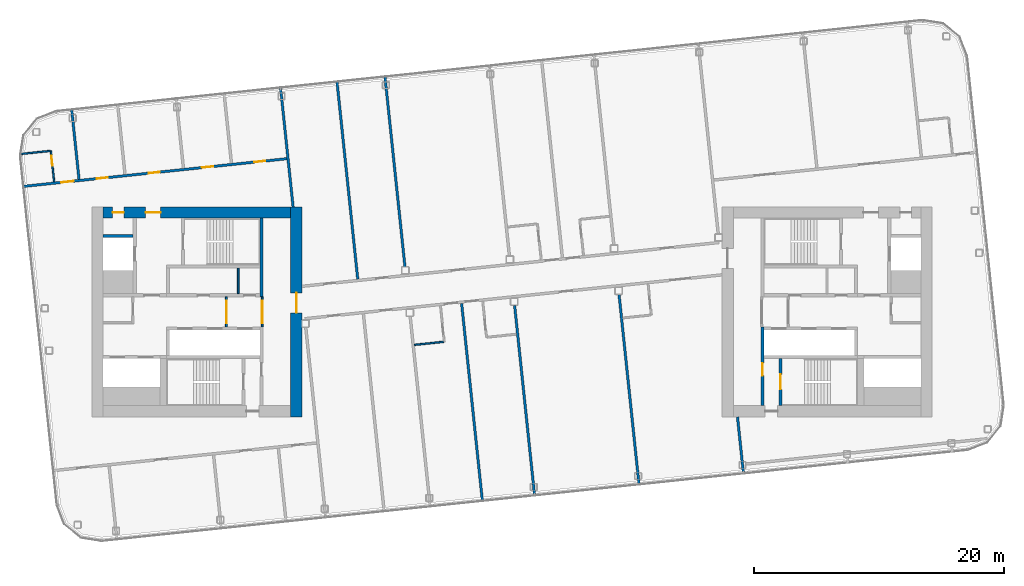
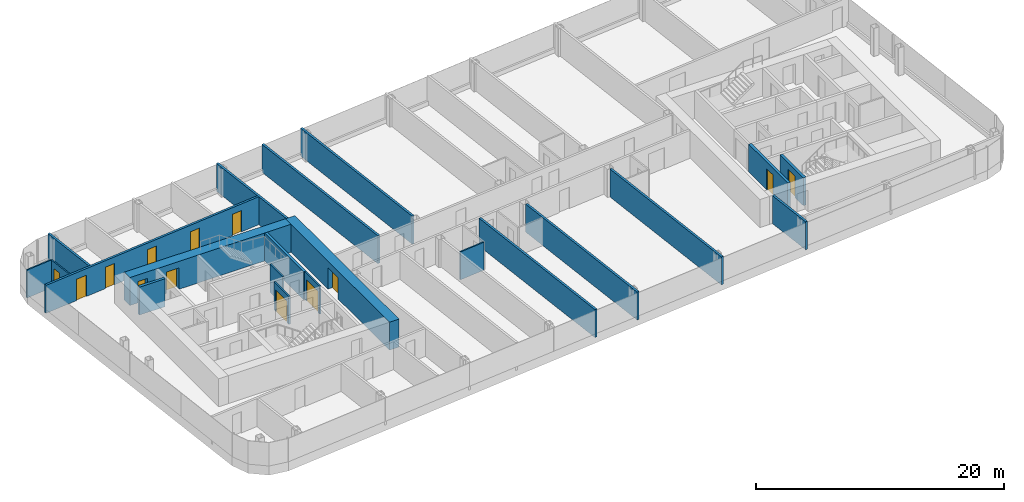
# One storey, part 15 of 27: 21 walls, 13 doors, 13 openings.
"""IFC4 building model written with IfcOpenShell, lengths in metres."""

from ifc_helpers import new_model, si_unit, direction, frame, frame_2d, origin, place, context, subcontext, project, spatial, rectangle, extrude, material, layer, layer_set, type_object, element, fill, save


model = new_model("IFC4")

# Units and contexts
model_context = context("Model", 3, precision=1e-05, world=origin(), true_north=direction((0.0, 1.0)))
body_context = subcontext(model_context, "Body", "Model", "MODEL_VIEW")
ifc_project = project(units=[si_unit("LENGTHUNIT", "METRE"), si_unit("AREAUNIT", "SQUARE_METRE"), si_unit("VOLUMEUNIT", "CUBIC_METRE"), si_unit("PLANEANGLEUNIT", "RADIAN"), si_unit("MASSUNIT", "GRAM", prefix="KILO")], contexts=[model_context])

# Site, building, storey
site_placement = place(None, origin())
site = spatial("IfcSite", under=ifc_project, at=site_placement, CompositionType="ELEMENT")
building_placement = place(site_placement, origin())
building = spatial("IfcBuilding", under=site, at=building_placement, Name="Hakoniwa Tower and Hamabe Station Hall", CompositionType="ELEMENT")
storey_placement = place(building_placement, frame((0.0, 0.0, 242.199951171875)))
storey = spatial("IfcBuildingStorey", under=building, at=storey_placement, Name="L68", CompositionType="ELEMENT", Elevation=242.199951171875)

# Walls
ifc_material_1 = material(Name="Gypsum board partition", Category="gypsum")
ifc_layer_1 = layer(ifc_material_1, 0.125)
ifc_layer_set_1 = layer_set([ifc_layer_1], Name="Bathroom Partition 125")
wall_type_1 = type_object("IfcWallType", Name="Bathroom Partition 125", PredefinedType="PARTITIONING", material=ifc_layer_set_1)
wall_1_placement = place(storey_placement, frame((-7.80517578125, -2.64404296875, 0.0), z_axis=(0.0, 0.0, 1.0), x_axis=(0.994519751088, 0.104548862722, 0.0)))
element("IfcWall", 1, at=wall_1_placement, inside=storey, type_object=wall_type_1, Name="GW-L68-003", PredefinedType="PARTITIONING", context=body_context, shape_type="SweptSolid", body=[
    extrude(rectangle(XDim=2.33740234375, YDim=0.125, at=frame_2d((1.168701171875, 0.0))), origin(), (0.0, 0.0, 1.0), 2.75),
])
wall_2_placement = place(storey_placement, frame((-39.336181640625, 12.62353515625, 0.0), z_axis=(0.0, 0.0, 1.0), x_axis=(0.994528281662, 0.104467683877, 0.0)))
element("IfcWall", 2, at=wall_2_placement, inside=storey, type_object=wall_type_1, Name="GW-L68-013", PredefinedType="PARTITIONING", context=body_context, shape_type="SweptSolid", body=[
    extrude(rectangle(XDim=2.400146484375, YDim=0.125, at=frame_2d((1.2001953125, 0.0))), origin(), (0.0, 0.0, 1.0), 2.75),
])

# Wall, opening, door
wall_3_placement = place(storey_placement, frame((-36.625732421875, 10.39453125, 0.0), z_axis=(0.0, 0.0, 1.0), x_axis=(-0.104588199498, 0.994515615024, 0.0)))
wall_3 = element("IfcWall", 3, at=wall_3_placement, inside=storey, type_object=wall_type_1, Name="GW-L68-014", PredefinedType="PARTITIONING", context=body_context, shape_type="SweptSolid", body=[
    extrude(rectangle(XDim=2.5, YDim=0.125, at=frame_2d((1.25, 0.0))), origin(), (0.0, 0.0, 1.0), 2.75),
])
opening_1_placement = place(wall_3_placement, frame((1.300048828125, 0.0, 0.0)))
opening_1 = element("IfcOpeningElement", 4, at=opening_1_placement, cuts=wall_3, Name="Opening GD-G5B0-25", PredefinedType="OPENING", context=body_context, shape_type="SweptSolid", body=[
    extrude(rectangle(XDim=0.800048828125, YDim=2.10009765625, at=frame_2d((0.39990234375, 1.050048828125))), frame((0.0, 0.072509765625, 0.0), z_axis=(0.0, -1.0, 0.0), x_axis=(1.0, 0.0, 0.0)), (0.0, 0.0, 1.0), 0.14501953125),
])
ifc_material_2 = material(Name="Timber door leaf", Category="wood")
door_type_1 = type_object("IfcDoorType", Name="Bathroom Door 800", OperationType="SINGLE_SWING_LEFT", PredefinedType="DOOR", material=ifc_material_2)
door_1_placement = place(opening_1_placement, origin())
door_1 = element("IfcDoor", 5, at=door_1_placement, inside=storey, type_object=door_type_1, Name="Door GD-G5B0-25", OperationType="SINGLE_SWING_LEFT", OverallHeight=2.10009765625, OverallWidth=0.800048828125, PredefinedType="DOOR", context=body_context, shape_type="SweptSolid", body=[
    extrude(rectangle(XDim=0.800048828125, YDim=2.10009765625, at=frame_2d((0.39990234375, 1.050048828125))), frame((0.0, 0.02490234375, 0.0), z_axis=(0.0, -1.0, 0.0), x_axis=(1.0, 0.0, 0.0)), (0.0, 0.0, 1.0), 0.050048828125),
])
fill(opening_1, door_1)

ifc_material_3 = material(Name="Gypsum board partition")
ifc_layer_2 = layer(ifc_material_3, 0.14990234375)
ifc_layer_set_2 = layer_set([ifc_layer_2], Name="CORE PARTITION 150 EI 60")
wall_type_2 = type_object("IfcWallType", Name="CORE PARTITION 150 EI 60", PredefinedType="PARTITIONING", material=ifc_layer_set_2)
wall_4_placement = place(storey_placement, frame((-19.97509765625, -1.199951171875, 0.0), z_axis=(0.0, 0.0, 1.0), x_axis=(0.0, 1.0, 0.0)))
wall_4 = element("IfcWall", 6, at=wall_4_placement, inside=storey, type_object=wall_type_2, Name="Core partition PL0 west", PredefinedType="PARTITIONING", context=body_context, shape_type="SweptSolid", body=[
    extrude(rectangle(XDim=2.39990234375, YDim=0.14990234375, at=frame_2d((1.199951171875, 0.0))), origin(), (0.0, 0.0, 1.0), 2.75),
])
opening_2_placement = place(wall_4_placement, frame((0.300048828125, 0.0, 0.0)))
opening_2 = element("IfcOpeningElement", 7, at=opening_2_placement, cuts=wall_4, Name="Opening CD-W-LP0-18", PredefinedType="OPENING", context=body_context, shape_type="SweptSolid", body=[
    extrude(rectangle(XDim=1.800048828125, YDim=2.10009765625, at=frame_2d((0.89990234375, 1.050048828125))), frame((0.0, 0.0849609375, 0.0), z_axis=(0.0, -1.0, 0.0), x_axis=(1.0, 0.0, 0.0)), (0.0, 0.0, 1.0), 0.169921875),
])
ifc_material_4 = material(Name="Steel fire door", Category="steel")
door_type_2 = type_object("IfcDoorType", Name="CORE DOOR 1800 FD60", OperationType="DOUBLE_DOOR_SINGLE_SWING", PredefinedType="DOOR", material=ifc_material_4)
door_2_placement = place(opening_2_placement, origin())
door_2 = element("IfcDoor", 8, at=door_2_placement, inside=storey, type_object=door_type_2, Name="Lift lobby partition door", OperationType="DOUBLE_DOOR_SINGLE_SWING", OverallHeight=2.10009765625, OverallWidth=1.800048828125, PredefinedType="DOOR", context=body_context, shape_type="SweptSolid", body=[
    extrude(rectangle(XDim=1.800048828125, YDim=2.10009765625, at=frame_2d((0.89990234375, 1.050048828125))), frame((0.0, 0.02490234375, 0.0), z_axis=(0.0, -1.0, 0.0), x_axis=(1.0, 0.0, 0.0)), (0.0, 0.0, 1.0), 0.050048828125),
])
fill(opening_2, door_2)

wall_5_placement = place(storey_placement, frame((-22.85009765625, -1.199951171875, 0.0), z_axis=(0.0, 0.0, 1.0), x_axis=(0.0, 1.0, 0.0)))
wall_5 = element("IfcWall", 9, at=wall_5_placement, inside=storey, type_object=wall_type_2, Name="Core partition PL1 west", PredefinedType="PARTITIONING", context=body_context, shape_type="SweptSolid", body=[
    extrude(rectangle(XDim=2.39990234375, YDim=0.14990234375, at=frame_2d((1.199951171875, 0.0))), origin(), (0.0, 0.0, 1.0), 2.75),
])
opening_3_placement = place(wall_5_placement, frame((0.300048828125, 0.0, 0.0)))
opening_3 = element("IfcOpeningElement", 10, at=opening_3_placement, cuts=wall_5, Name="Opening CD-W-LP1-18", PredefinedType="OPENING", context=body_context, shape_type="SweptSolid", body=[
    extrude(rectangle(XDim=1.800048828125, YDim=2.10009765625, at=frame_2d((0.89990234375, 1.050048828125))), frame((0.0, 0.0849609375, 0.0), z_axis=(0.0, -1.0, 0.0), x_axis=(1.0, 0.0, 0.0)), (0.0, 0.0, 1.0), 0.169921875),
])
door_3_placement = place(opening_3_placement, origin())
door_3 = element("IfcDoor", 11, at=door_3_placement, inside=storey, type_object=door_type_2, Name="Lift lobby partition door", OperationType="DOUBLE_DOOR_SINGLE_SWING", OverallHeight=2.10009765625, OverallWidth=1.800048828125, PredefinedType="DOOR", context=body_context, shape_type="SweptSolid", body=[
    extrude(rectangle(XDim=1.800048828125, YDim=2.10009765625, at=frame_2d((0.89990234375, 1.050048828125))), frame((0.0, 0.02490234375, 0.0), z_axis=(0.0, -1.0, 0.0), x_axis=(1.0, 0.0, 0.0)), (0.0, 0.0, 1.0), 0.050048828125),
])
fill(opening_3, door_3)

# Wall
wall_6_placement = place(storey_placement, frame((-21.89990234375, 1.449951171875, 0.0), z_axis=(0.0, 0.0, 1.0), x_axis=(0.0, 1.0, 0.0)))
element("IfcWall", 12, at=wall_6_placement, inside=storey, type_object=wall_type_2, Name="Core partition PFLR0 west", PredefinedType="PARTITIONING", context=body_context, shape_type="SweptSolid", body=[
    extrude(rectangle(XDim=2.050048828125, YDim=0.14990234375, at=frame_2d((1.02490234375, 0.0))), origin(), (0.0, 0.0, 1.0), 2.75),
])

# Wall, opening, door
ifc_material_5 = material(Name="Concrete C60", Category="concrete")
ifc_layer_3 = layer(ifc_material_5, 0.89990234375)
ifc_layer_set_3 = layer_set([ifc_layer_3], Name="CORE WALL 900 C60")
wall_type_3 = type_object("IfcWallType", Name="CORE WALL 900 C60", PredefinedType="SHEAR", material=ifc_layer_set_3)
wall_7_placement = place(storey_placement, frame((-17.25, -8.39990234375, 0.0), z_axis=(0.0, 0.0, 1.0), x_axis=(0.0, 1.0, 0.0)))
wall_7 = element("IfcWall", 13, at=wall_7_placement, inside=storey, type_object=wall_type_3, Name="Core wall INNER west", PredefinedType="SHEAR", context=body_context, shape_type="SweptSolid", body=[
    extrude(rectangle(XDim=16.7998046875, YDim=0.89990234375, at=frame_2d((8.39990234375, 0.0))), origin(), (0.0, 0.0, 1.0), 2.75),
])
opening_4_placement = place(wall_7_placement, frame((8.321044921875, 0.0, 0.0)))
opening_4 = element("IfcOpeningElement", 14, at=opening_4_placement, cuts=wall_7, Name="Opening CD-W-IN1-16", PredefinedType="OPENING", context=body_context, shape_type="SweptSolid", body=[
    extrude(rectangle(XDim=1.60009765625, YDim=2.10009765625, at=frame_2d((0.800048828125, 1.050048828125))), frame((0.0, 0.4599609375, 0.0), z_axis=(0.0, -1.0, 0.0), x_axis=(1.0, 0.0, 0.0)), (0.0, 0.0, 1.0), 0.919921875),
])
ifc_material_6 = material(Name="Steel fire door", Category="steel")
door_type_3 = type_object("IfcDoorType", Name="CORE DOOR 1600 FD60", OperationType="DOUBLE_DOOR_SINGLE_SWING", PredefinedType="DOOR", material=ifc_material_6)
door_4_placement = place(opening_4_placement, origin())
door_4 = element("IfcDoor", 15, at=door_4_placement, inside=storey, type_object=door_type_3, Name="Lift lobby door", OperationType="DOUBLE_DOOR_SINGLE_SWING", OverallHeight=2.10009765625, OverallWidth=1.60009765625, PredefinedType="DOOR", context=body_context, shape_type="SweptSolid", body=[
    extrude(rectangle(XDim=1.60009765625, YDim=2.10009765625, at=frame_2d((0.800048828125, 1.050048828125))), frame((0.0, 0.02490234375, 0.0), z_axis=(0.0, -1.0, 0.0), x_axis=(1.0, 0.0, 0.0)), (0.0, 0.0, 1.0), 0.050048828125),
])
fill(opening_4, door_4)

# Wall, openings, doors
wall_8_placement = place(storey_placement, frame((-32.699951171875, 7.949951171875, 0.0), z_axis=(0.0, 0.0, 1.0), x_axis=(1.0, 0.0, 0.0)))
wall_8 = element("IfcWall", 16, at=wall_8_placement, inside=storey, type_object=wall_type_3, Name="Core wall NORTH west", PredefinedType="SHEAR", context=body_context, shape_type="SweptSolid", body=[
    extrude(rectangle(XDim=15.0, YDim=0.89990234375, at=frame_2d((7.5, 0.0))), origin(), (0.0, 0.0, 1.0), 2.75),
])
opening_5_placement = place(wall_8_placement, frame((3.39990234375, 0.0, 0.0)))
opening_5 = element("IfcOpeningElement", 17, at=opening_5_placement, cuts=wall_8, Name="Opening CD-W-FN1-12", PredefinedType="OPENING", context=body_context, shape_type="SweptSolid", body=[
    extrude(rectangle(XDim=1.199951171875, YDim=2.10009765625, at=frame_2d((0.60009765625, 1.050048828125))), frame((0.0, 0.4599609375, 0.0), z_axis=(0.0, -1.0, 0.0), x_axis=(1.0, 0.0, 0.0)), (0.0, 0.0, 1.0), 0.919921875),
])
opening_6_placement = place(wall_8_placement, frame((0.75, 0.0, 0.0)))
opening_6 = element("IfcOpeningElement", 18, at=opening_6_placement, cuts=wall_8, Name="Opening CD-W-FN2-9", PredefinedType="OPENING", context=body_context, shape_type="SweptSolid", body=[
    extrude(rectangle(XDim=0.89990234375, YDim=2.10009765625, at=frame_2d((0.449951171875, 1.050048828125))), frame((0.0, 0.4599609375, 0.0), z_axis=(0.0, -1.0, 0.0), x_axis=(1.0, 0.0, 0.0)), (0.0, 0.0, 1.0), 0.919921875),
])
ifc_material_7 = material(Name="Steel fire door", Category="steel")
door_type_4 = type_object("IfcDoorType", Name="CORE DOOR 1200 FD60", OperationType="DOUBLE_DOOR_SINGLE_SWING", PredefinedType="DOOR", material=ifc_material_7)
door_5_placement = place(opening_5_placement, origin())
door_5 = element("IfcDoor", 19, at=door_5_placement, inside=storey, type_object=door_type_4, Name="Stair vestibule door to the fire-fighting lobby", OperationType="DOUBLE_DOOR_SINGLE_SWING", OverallHeight=2.10009765625, OverallWidth=1.199951171875, PredefinedType="DOOR", context=body_context, shape_type="SweptSolid", body=[
    extrude(rectangle(XDim=1.199951171875, YDim=2.10009765625, at=frame_2d((0.60009765625, 1.050048828125))), frame((0.0, 0.02490234375, 0.0), z_axis=(0.0, -1.0, 0.0), x_axis=(1.0, 0.0, 0.0)), (0.0, 0.0, 1.0), 0.050048828125),
])
fill(opening_5, door_5)
ifc_material_8 = material(Name="Steel fire door", Category="steel")
door_type_5 = type_object("IfcDoorType", Name="CORE DOOR 900 FD30", OperationType="NOTDEFINED", PredefinedType="DOOR", material=ifc_material_8)
door_6_placement = place(opening_6_placement, origin())
door_6 = element("IfcDoor", 20, at=door_6_placement, inside=storey, type_object=door_type_5, Name="Riser access door", OperationType="SINGLE_SWING_RIGHT", OverallHeight=2.10009765625, OverallWidth=0.89990234375, PredefinedType="DOOR", context=body_context, shape_type="SweptSolid", body=[
    extrude(rectangle(XDim=0.89990234375, YDim=2.10009765625, at=frame_2d((0.449951171875, 1.050048828125))), frame((0.0, 0.02490234375, 0.0), z_axis=(0.0, -1.0, 0.0), x_axis=(1.0, 0.0, 0.0)), (0.0, 0.0, 1.0), 0.050048828125),
])
fill(opening_6, door_6)

# Walls
ifc_material_9 = material(Name="Concrete C60", Category="concrete")
ifc_layer_4 = layer(ifc_material_9, 0.25)
ifc_layer_set_4 = layer_set([ifc_layer_4], Name="CORE WEB WALL 250 C60")
wall_type_4 = type_object("IfcWallType", Name="CORE WEB WALL 250 C60", PredefinedType="SHEAR", material=ifc_layer_set_4)
wall_9_placement = place(storey_placement, frame((-20.02490234375, 1.199951171875, 0.0), z_axis=(0.0, 0.0, 1.0), x_axis=(0.0, 1.0, 0.0)))
element("IfcWall", 21, at=wall_9_placement, inside=storey, type_object=wall_type_4, Name="Core wall W1N west", PredefinedType="SHEAR", context=body_context, shape_type="SweptSolid", body=[
    extrude(rectangle(XDim=6.300048828125, YDim=0.25, at=frame_2d((3.14990234375, 0.0))), origin(), (0.0, 0.0, 1.0), 2.75),
])
wall_10_placement = place(storey_placement, frame((-32.699951171875, 6.074951171875, 0.0), z_axis=(0.0, 0.0, 1.0), x_axis=(1.0, 0.0, 0.0)))
element("IfcWall", 22, at=wall_10_placement, inside=storey, type_object=wall_type_4, Name="Core wall C2 west", PredefinedType="SHEAR", context=body_context, shape_type="SweptSolid", body=[
    extrude(rectangle(XDim=2.39990234375, YDim=0.25, at=frame_2d((1.199951171875, 0.0))), origin(), (0.0, 0.0, 1.0), 2.75),
])

# Wall, opening, door
wall_11_placement = place(storey_placement, frame((20.02490234375, -7.5, 0.0), z_axis=(0.0, 0.0, 1.0), x_axis=(0.0, 1.0, 0.0)))
wall_11 = element("IfcWall", 23, at=wall_11_placement, inside=storey, type_object=wall_type_4, Name="Core wall W1S east", PredefinedType="SHEAR", context=body_context, shape_type="SweptSolid", body=[
    extrude(rectangle(XDim=6.300048828125, YDim=0.25, at=frame_2d((3.14990234375, 0.0))), origin(), (0.0, 0.0, 1.0), 2.75),
])
opening_7_placement = place(wall_11_placement, frame((2.39990234375, 0.0, 0.0)))
opening_7 = element("IfcOpeningElement", 24, at=opening_7_placement, cuts=wall_11, Name="Opening CD-E-VS-10", PredefinedType="OPENING", context=body_context, shape_type="SweptSolid", body=[
    extrude(rectangle(XDim=1.0, YDim=2.10009765625, at=frame_2d((0.5, 1.050048828125))), frame((0.0, 0.135009765625, 0.0), z_axis=(0.0, -1.0, 0.0), x_axis=(1.0, 0.0, 0.0)), (0.0, 0.0, 1.0), 0.27001953125),
])
ifc_material_10 = material(Name="Steel fire door", Category="steel")
door_type_6 = type_object("IfcDoorType", Name="CORE DOOR 1000 FD60", OperationType="NOTDEFINED", PredefinedType="DOOR", material=ifc_material_10)
door_7_placement = place(opening_7_placement, origin())
door_7 = element("IfcDoor", 25, at=door_7_placement, inside=storey, type_object=door_type_6, Name="Stair vestibule door", OperationType="SINGLE_SWING_RIGHT", OverallHeight=2.10009765625, OverallWidth=1.0, PredefinedType="DOOR", context=body_context, shape_type="SweptSolid", body=[
    extrude(rectangle(XDim=1.0, YDim=2.10009765625, at=frame_2d((0.5, 1.050048828125))), frame((0.0, 0.02490234375, 0.0), z_axis=(0.0, -1.0, 0.0), x_axis=(1.0, 0.0, 0.0)), (0.0, 0.0, 1.0), 0.050048828125),
])
fill(opening_7, door_7)

wall_12_placement = place(storey_placement, frame((21.47509765625, -7.5, 0.0), z_axis=(0.0, 0.0, 1.0), x_axis=(0.0, 1.0, 0.0)))
wall_12 = element("IfcWall", 26, at=wall_12_placement, inside=storey, type_object=wall_type_4, Name="Core wall VE east", PredefinedType="SHEAR", context=body_context, shape_type="SweptSolid", body=[
    extrude(rectangle(XDim=3.75, YDim=0.25, at=frame_2d((1.875, 0.0))), origin(), (0.0, 0.0, 1.0), 2.75),
])
opening_8_placement = place(wall_12_placement, frame((1.300048828125, 0.0, 0.0)))
opening_8 = element("IfcOpeningElement", 27, at=opening_8_placement, cuts=wall_12, Name="Opening CD-E-SS-12", PredefinedType="OPENING", context=body_context, shape_type="SweptSolid", body=[
    extrude(rectangle(XDim=1.199951171875, YDim=2.10009765625, at=frame_2d((0.60009765625, 1.050048828125))), frame((0.0, 0.135009765625, 0.0), z_axis=(0.0, -1.0, 0.0), x_axis=(1.0, 0.0, 0.0)), (0.0, 0.0, 1.0), 0.27001953125),
])
door_8_placement = place(opening_8_placement, origin())
door_8 = element("IfcDoor", 28, at=door_8_placement, inside=storey, type_object=door_type_4, Name="Escape stair door", OperationType="DOUBLE_DOOR_SINGLE_SWING", OverallHeight=2.10009765625, OverallWidth=1.199951171875, PredefinedType="DOOR", context=body_context, shape_type="SweptSolid", body=[
    extrude(rectangle(XDim=1.199951171875, YDim=2.10009765625, at=frame_2d((0.60009765625, 1.050048828125))), frame((0.0, 0.02490234375, 0.0), z_axis=(0.0, -1.0, 0.0), x_axis=(1.0, 0.0, 0.0)), (0.0, 0.0, 1.0), 0.050048828125),
])
fill(opening_8, door_8)

# Wall, openings, doors
ifc_material_11 = material(Name="Fire-rated gypsum board partition", Category="gypsum")
ifc_layer_5 = layer(ifc_material_11, 0.199951171875)
ifc_layer_set_5 = layer_set([ifc_layer_5], Name="Corridor Wall 200")
wall_type_5 = type_object("IfcWallType", Name="Corridor Wall 200", PredefinedType="PARTITIONING", material=ifc_layer_set_5)
wall_13_placement = place(storey_placement, frame((-39.101806640625, 10.033935546875, 0.0), z_axis=(0.0, 0.0, 1.0), x_axis=(0.994522585465, 0.104521897229, 0.0)))
wall_13 = element("IfcWall", 29, at=wall_13_placement, inside=storey, type_object=wall_type_5, Name="GW-L68-012", PredefinedType="PARTITIONING", context=body_context, shape_type="SweptSolid", body=[
    extrude(rectangle(XDim=21.300048828125, YDim=0.199951171875, at=frame_2d((10.64990234375, 0.0))), origin(), (0.0, 0.0, 1.0), 2.75),
])
opening_9_placement = place(wall_13_placement, frame((3.050048828125, 0.0, 0.0)))
opening_9 = element("IfcOpeningElement", 30, at=opening_9_placement, cuts=wall_13, Name="Opening GD-G5B0-20", PredefinedType="OPENING", context=body_context, shape_type="SweptSolid", body=[
    extrude(rectangle(XDim=1.0, YDim=2.10009765625, at=frame_2d((0.5, 1.050048828125))), frame((0.0, 0.10986328125, 0.0), z_axis=(0.0, -1.0, 0.0), x_axis=(1.0, 0.0, 0.0)), (0.0, 0.0, 1.0), 0.219970703125),
])
opening_10_placement = place(wall_13_placement, frame((5.89990234375, 0.0, 0.0)))
opening_10 = element("IfcOpeningElement", 31, at=opening_10_placement, cuts=wall_13, Name="Opening GD-G5B0-21", PredefinedType="OPENING", context=body_context, shape_type="SweptSolid", body=[
    extrude(rectangle(XDim=0.89990234375, YDim=2.10009765625, at=frame_2d((0.449951171875, 1.050048828125))), frame((0.0, 0.10986328125, 0.0), z_axis=(0.0, -1.0, 0.0), x_axis=(1.0, 0.0, 0.0)), (0.0, 0.0, 1.0), 0.219970703125),
])
opening_11_placement = place(wall_13_placement, frame((10.10009765625, 0.0, 0.0)))
opening_11 = element("IfcOpeningElement", 32, at=opening_11_placement, cuts=wall_13, Name="Opening GD-G5B0-22", PredefinedType="OPENING", context=body_context, shape_type="SweptSolid", body=[
    extrude(rectangle(XDim=0.89990234375, YDim=2.10009765625, at=frame_2d((0.449951171875, 1.050048828125))), frame((0.0, 0.10986328125, 0.0), z_axis=(0.0, -1.0, 0.0), x_axis=(1.0, 0.0, 0.0)), (0.0, 0.0, 1.0), 0.219970703125),
])
opening_12_placement = place(wall_13_placement, frame((14.3798828125, 0.0, 0.0)))
opening_12 = element("IfcOpeningElement", 33, at=opening_12_placement, cuts=wall_13, Name="Opening GD-G5B0-23", PredefinedType="OPENING", context=body_context, shape_type="SweptSolid", body=[
    extrude(rectangle(XDim=0.89990234375, YDim=2.10009765625, at=frame_2d((0.449951171875, 1.050048828125))), frame((0.0, 0.10986328125, 0.0), z_axis=(0.0, -1.0, 0.0), x_axis=(1.0, 0.0, 0.0)), (0.0, 0.0, 1.0), 0.219970703125),
])
opening_13_placement = place(wall_13_placement, frame((18.580078125, 0.0, 0.0)))
opening_13 = element("IfcOpeningElement", 34, at=opening_13_placement, cuts=wall_13, Name="Opening GD-G5B0-24", PredefinedType="OPENING", context=body_context, shape_type="SweptSolid", body=[
    extrude(rectangle(XDim=0.89990234375, YDim=2.10009765625, at=frame_2d((0.449951171875, 1.050048828125))), frame((0.0, 0.10986328125, 0.0), z_axis=(0.0, -1.0, 0.0), x_axis=(1.0, 0.0, 0.0)), (0.0, 0.0, 1.0), 0.219970703125),
])
ifc_material_12 = material(Name="Timber door leaf", Category="wood")
door_type_7 = type_object("IfcDoorType", Name="Guest Entrance Door 1000", OperationType="SINGLE_SWING_LEFT", PredefinedType="DOOR", material=ifc_material_12)
door_9_placement = place(opening_9_placement, origin())
door_9 = element("IfcDoor", 35, at=door_9_placement, inside=storey, type_object=door_type_7, Name="Door GD-G5B0-20", OperationType="SINGLE_SWING_LEFT", OverallHeight=2.10009765625, OverallWidth=1.0, PredefinedType="DOOR", context=body_context, shape_type="SweptSolid", body=[
    extrude(rectangle(XDim=1.0, YDim=2.10009765625, at=frame_2d((0.5, 1.050048828125))), frame((0.0, 0.02490234375, 0.0), z_axis=(0.0, -1.0, 0.0), x_axis=(1.0, 0.0, 0.0)), (0.0, 0.0, 1.0), 0.050048828125),
])
fill(opening_9, door_9)
ifc_material_13 = material(Name="Timber door leaf", Category="wood")
door_type_8 = type_object("IfcDoorType", Name="Service Door 900", OperationType="SINGLE_SWING_LEFT", PredefinedType="DOOR", material=ifc_material_13)
door_10_placement = place(opening_10_placement, origin())
door_10 = element("IfcDoor", 36, at=door_10_placement, inside=storey, type_object=door_type_8, Name="Door GD-G5B0-21", OperationType="SINGLE_SWING_RIGHT", OverallHeight=2.10009765625, OverallWidth=0.89990234375, PredefinedType="DOOR", context=body_context, shape_type="SweptSolid", body=[
    extrude(rectangle(XDim=0.89990234375, YDim=2.10009765625, at=frame_2d((0.449951171875, 1.050048828125))), frame((0.0, 0.02490234375, 0.0), z_axis=(0.0, -1.0, 0.0), x_axis=(1.0, 0.0, 0.0)), (0.0, 0.0, 1.0), 0.050048828125),
])
fill(opening_10, door_10)
door_11_placement = place(opening_11_placement, origin())
door_11 = element("IfcDoor", 37, at=door_11_placement, inside=storey, type_object=door_type_8, Name="Door GD-G5B0-22", OperationType="SINGLE_SWING_LEFT", OverallHeight=2.10009765625, OverallWidth=0.89990234375, PredefinedType="DOOR", context=body_context, shape_type="SweptSolid", body=[
    extrude(rectangle(XDim=0.89990234375, YDim=2.10009765625, at=frame_2d((0.449951171875, 1.050048828125))), frame((0.0, 0.02490234375, 0.0), z_axis=(0.0, -1.0, 0.0), x_axis=(1.0, 0.0, 0.0)), (0.0, 0.0, 1.0), 0.050048828125),
])
fill(opening_11, door_11)
door_12_placement = place(opening_12_placement, origin())
door_12 = element("IfcDoor", 38, at=door_12_placement, inside=storey, type_object=door_type_8, Name="Door GD-G5B0-23", OperationType="SINGLE_SWING_RIGHT", OverallHeight=2.10009765625, OverallWidth=0.89990234375, PredefinedType="DOOR", context=body_context, shape_type="SweptSolid", body=[
    extrude(rectangle(XDim=0.89990234375, YDim=2.10009765625, at=frame_2d((0.449951171875, 1.050048828125))), frame((0.0, 0.02490234375, 0.0), z_axis=(0.0, -1.0, 0.0), x_axis=(1.0, 0.0, 0.0)), (0.0, 0.0, 1.0), 0.050048828125),
])
fill(opening_12, door_12)
door_13_placement = place(opening_13_placement, origin())
door_13 = element("IfcDoor", 39, at=door_13_placement, inside=storey, type_object=door_type_8, Name="Door GD-G5B0-24", OperationType="SINGLE_SWING_LEFT", OverallHeight=2.10009765625, OverallWidth=0.89990234375, PredefinedType="DOOR", context=body_context, shape_type="SweptSolid", body=[
    extrude(rectangle(XDim=0.89990234375, YDim=2.10009765625, at=frame_2d((0.449951171875, 1.050048828125))), frame((0.0, 0.02490234375, 0.0), z_axis=(0.0, -1.0, 0.0), x_axis=(1.0, 0.0, 0.0)), (0.0, 0.0, 1.0), 0.050048828125),
])
fill(opening_13, door_13)

# Walls
ifc_material_14 = material(Name="Fire-rated gypsum board partition", Category="gypsum")
ifc_layer_6 = layer(ifc_material_14, 0.199951171875)
ifc_layer_set_6 = layer_set([ifc_layer_6], Name="Party Wall 200")
wall_type_6 = type_object("IfcWallType", Name="Party Wall 200", PredefinedType="PARTITIONING", material=ifc_layer_set_6)
wall_14_placement = place(storey_placement, frame((-34.63671875, 10.603759765625, 0.0), z_axis=(0.0, 0.0, 1.0), x_axis=(-0.104560413987, 0.994518536693, 0.0)))
element("IfcWall", 40, at=wall_14_placement, inside=storey, type_object=wall_type_6, Name="GW-L68-016", PredefinedType="PARTITIONING", context=body_context, shape_type="SweptSolid", body=[
    extrude(rectangle(XDim=5.6201171875, YDim=0.199951171875, at=frame_2d((2.81005859375, 0.0))), origin(), (0.0, 0.0, 1.0), 2.75),
])
wall_15_placement = place(storey_placement, frame((-17.51220703125, 8.39501953125, 0.0), z_axis=(0.0, 0.0, 1.0), x_axis=(-0.104524714473, 0.994522289375, 0.0)))
element("IfcWall", 41, at=wall_15_placement, inside=storey, type_object=wall_type_6, Name="GW-L68-023", PredefinedType="PARTITIONING", context=body_context, shape_type="SweptSolid", body=[
    extrude(rectangle(XDim=9.60693359375, YDim=0.199951171875, at=frame_2d((4.803466796875, 0.0))), origin(), (0.0, 0.0, 1.0), 2.75),
])
wall_16_placement = place(storey_placement, frame((-12.339111328125, 2.61083984375, 0.0), z_axis=(0.0, 0.0, 1.0), x_axis=(-0.104534518003, 0.994521258971, 0.0)))
element("IfcWall", 42, at=wall_16_placement, inside=storey, type_object=wall_type_6, Name="GW-L68-024", PredefinedType="PARTITIONING", context=body_context, shape_type="SweptSolid", body=[
    extrude(rectangle(XDim=15.900146484375, YDim=0.199951171875, at=frame_2d((7.9501953125, 0.0))), origin(), (0.0, 0.0, 1.0), 2.75),
])
wall_17_placement = place(storey_placement, frame((-8.562255859375, 3.6025390625, 0.0), z_axis=(0.0, 0.0, 1.0), x_axis=(-0.104523729364, 0.99452239291, 0.0)))
element("IfcWall", 43, at=wall_17_placement, inside=storey, type_object=wall_type_6, Name="GW-L68-027", PredefinedType="PARTITIONING", context=body_context, shape_type="SweptSolid", body=[
    extrude(rectangle(XDim=15.308349609375, YDim=0.199951171875, at=frame_2d((7.654296875, 0.0))), origin(), (0.0, 0.0, 1.0), 2.75),
])
wall_18_placement = place(storey_placement, frame((-2.36865234375, -15.144287109375, 0.0), z_axis=(0.0, 0.0, 1.0), x_axis=(-0.104534518003, 0.994521258971, 0.0)))
element("IfcWall", 44, at=wall_18_placement, inside=storey, type_object=wall_type_6, Name="GW-L68-029", PredefinedType="PARTITIONING", context=body_context, shape_type="SweptSolid", body=[
    extrude(rectangle(XDim=15.900146484375, YDim=0.199951171875, at=frame_2d((7.9501953125, 0.0))), origin(), (0.0, 0.0, 1.0), 2.75),
])
for number, where, z_axis, x_axis, name in (
    (45, (1.808349609375, -14.705322265625, 0.0), (0.0, 0.0, 1.0), (-0.104523729364, 0.99452239291, 0.0), "GW-L68-031"),
    (46, (10.162353515625, -13.8271484375, 0.0), (0.0, 0.0, 1.0), (-0.104523729364, 0.99452239291, 0.0), "GW-L68-036"),
):
    element("IfcWall", number, at=place(storey_placement, frame(where, z_axis=z_axis, x_axis=x_axis)), inside=storey, type_object=wall_type_6, Name=name, PredefinedType="PARTITIONING", context=body_context, shape_type="SweptSolid", body=[
        extrude(rectangle(XDim=15.308349609375, YDim=0.199951171875, at=frame_2d((7.654296875, 0.0))), origin(), (0.0, 0.0, 1.0), 2.75),
    ])
wall_19_placement = place(storey_placement, frame((18.516357421875, -12.94921875, 0.0), z_axis=(0.0, 0.0, 1.0), x_axis=(-0.104548796268, 0.994519758074, 0.0)))
element("IfcWall", 47, at=wall_19_placement, inside=storey, type_object=wall_type_6, Name="GW-L68-039", PredefinedType="PARTITIONING", context=body_context, shape_type="SweptSolid", body=[
    extrude(rectangle(XDim=4.579345703125, YDim=0.199951171875, at=frame_2d((2.28955078125, 0.0))), origin(), (0.0, 0.0, 1.0), 2.75),
])

save(model, "model.ifc")
